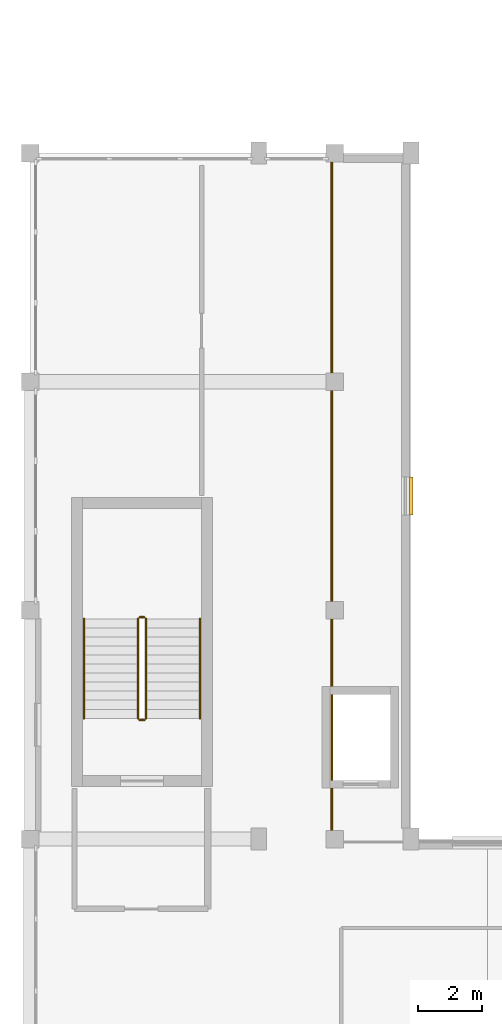
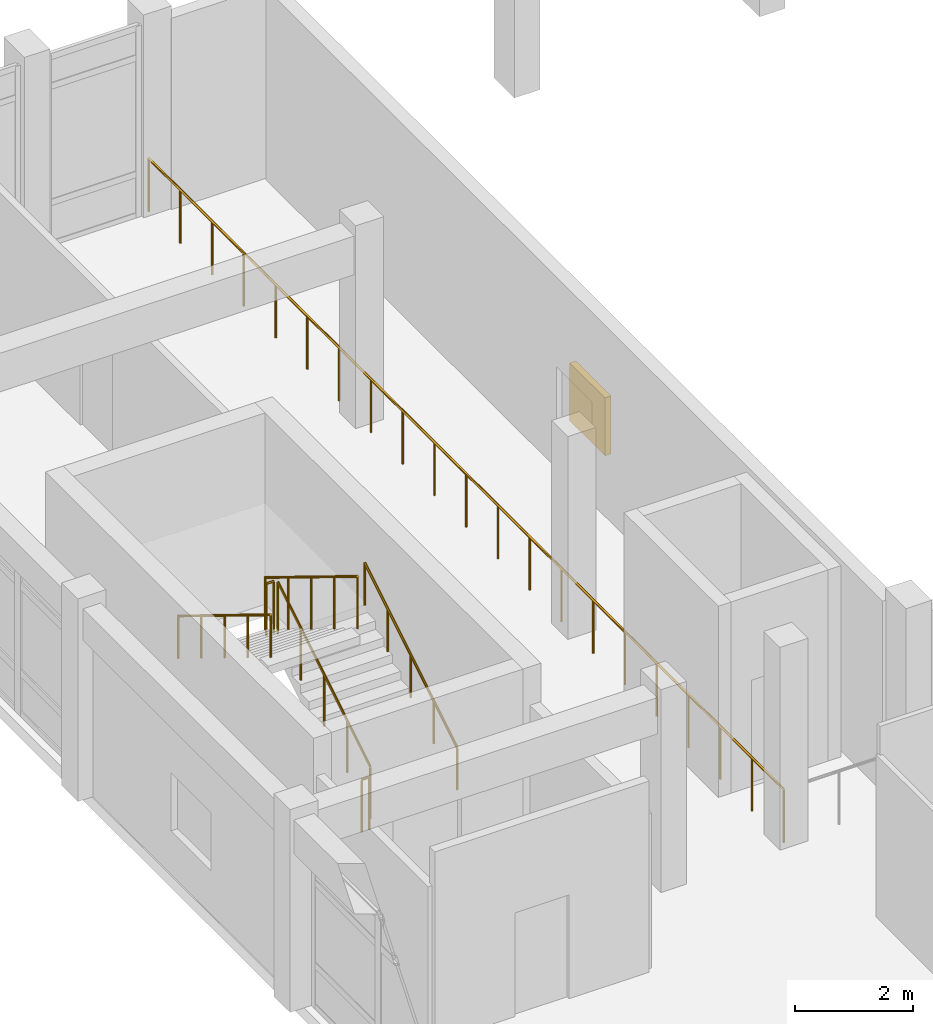
# One storey, part 41 of 47: 7 railings, 1 shading device.
"""IFC4 building model written with IfcOpenShell, lengths in metres."""

from ifc_helpers import new_model, si_unit, direction, frame, origin, origin_2d, place, context, subcontext, project, spatial, rectangle, circle, extrude, material, layer, layer_set, type_object, element, save


model = new_model("IFC4")

# Units and contexts
model_context = context("Model", 3, precision=1e-05, world=origin(), true_north=direction((0.0, 1.0)))
body_context = subcontext(model_context, "Body", "Model", "MODEL_VIEW")
ifc_project = project(units=[si_unit("LENGTHUNIT", "METRE"), si_unit("AREAUNIT", "SQUARE_METRE"), si_unit("VOLUMEUNIT", "CUBIC_METRE"), si_unit("PLANEANGLEUNIT", "RADIAN"), si_unit("MASSUNIT", "GRAM", prefix="KILO")], contexts=[model_context])

# Site, building, storey
site_placement = place(None, origin())
site = spatial("IfcSite", under=ifc_project, at=site_placement, CompositionType="ELEMENT")
building_placement = place(site_placement, origin())
building = spatial("IfcBuilding", under=site, at=building_placement, Name="Brisavento Harbour Community Centre", CompositionType="ELEMENT")
storey_placement = place(building_placement, frame((0.0, 0.0, 8.699951171875)))
storey = spatial("IfcBuildingStorey", under=building, at=storey_placement, Name="L02", CompositionType="ELEMENT", Elevation=8.699951171875)

# Railings
ifc_material_1 = material(Name="Stainless steel 1.4401", Category="steel")
railing_type_1 = type_object("IfcRailingType", Name="RL-ATR-BAL", PredefinedType="BALUSTRADE", material=ifc_material_1)
railing_1_placement = place(storey_placement, frame((9.5, 14.300048828125, 0.0)))
element("IfcRailing", 1, at=railing_1_placement, inside=storey, type_object=railing_type_1, Name="L02 atrium and gallery balustrade BAL-V1-HALL-W", PredefinedType="BALUSTRADE", context=body_context, shape_type="SweptSolid", body=[
    extrude(circle(Radius=0.02392578125, at=origin_2d()), frame((0.0, 0.0, 1.09619140625), z_axis=(0.0, 1.0, 0.0), x_axis=(-1.0, 0.0, 0.0)), (0.0, 0.0, 1.0), 21.550048828125),
    extrude(circle(Radius=0.02099609375, at=origin_2d()), origin(), (0.0, 0.0, 1.0), 1.072021484375),
    extrude(circle(Radius=0.02099609375, at=origin_2d()), frame((0.0, 1.077392578125, 0.0)), (0.0, 0.0, 1.0), 1.072021484375),
    extrude(circle(Radius=0.02099609375, at=origin_2d()), frame((0.0, 2.155029296875, 0.0)), (0.0, 0.0, 1.0), 1.072021484375),
    extrude(circle(Radius=0.02099609375, at=origin_2d()), frame((0.0, 3.232421875, 0.0)), (0.0, 0.0, 1.0), 1.072021484375),
    extrude(circle(Radius=0.02099609375, at=origin_2d()), frame((0.0, 4.31005859375, 0.0)), (0.0, 0.0, 1.0), 1.072021484375),
    extrude(circle(Radius=0.02099609375, at=origin_2d()), frame((0.0, 5.387451171875, 0.0)), (0.0, 0.0, 1.0), 1.072021484375),
    extrude(circle(Radius=0.02099609375, at=origin_2d()), frame((0.0, 6.465087890625, 0.0)), (0.0, 0.0, 1.0), 1.072021484375),
    extrude(circle(Radius=0.02099609375, at=origin_2d()), frame((0.0, 7.54248046875, 0.0)), (0.0, 0.0, 1.0), 1.072021484375),
    extrude(circle(Radius=0.02099609375, at=origin_2d()), frame((0.0, 8.6201171875, 0.0)), (0.0, 0.0, 1.0), 1.072021484375),
    extrude(circle(Radius=0.02099609375, at=origin_2d()), frame((0.0, 9.697509765625, 0.0)), (0.0, 0.0, 1.0), 1.072021484375),
    extrude(circle(Radius=0.02099609375, at=origin_2d()), frame((0.0, 10.77490234375, 0.0)), (0.0, 0.0, 1.0), 1.072021484375),
    extrude(circle(Radius=0.02099609375, at=origin_2d()), frame((0.0, 11.8525390625, 0.0)), (0.0, 0.0, 1.0), 1.072021484375),
    extrude(circle(Radius=0.02099609375, at=origin_2d()), frame((0.0, 12.929931640625, 0.0)), (0.0, 0.0, 1.0), 1.072021484375),
    extrude(circle(Radius=0.02099609375, at=origin_2d()), frame((0.0, 14.007568359375, 0.0)), (0.0, 0.0, 1.0), 1.072021484375),
    extrude(circle(Radius=0.02099609375, at=origin_2d()), frame((0.0, 15.0849609375, 0.0)), (0.0, 0.0, 1.0), 1.072021484375),
    extrude(circle(Radius=0.02099609375, at=origin_2d()), frame((0.0, 16.16259765625, 0.0)), (0.0, 0.0, 1.0), 1.072021484375),
    extrude(circle(Radius=0.02099609375, at=origin_2d()), frame((0.0, 17.239990234375, 0.0)), (0.0, 0.0, 1.0), 1.072021484375),
    extrude(circle(Radius=0.02099609375, at=origin_2d()), frame((0.0, 18.317626953125, 0.0)), (0.0, 0.0, 1.0), 1.072021484375),
    extrude(circle(Radius=0.02099609375, at=origin_2d()), frame((0.0, 19.39501953125, 0.0)), (0.0, 0.0, 1.0), 1.072021484375),
    extrude(circle(Radius=0.02099609375, at=origin_2d()), frame((0.0, 20.47265625, 0.0)), (0.0, 0.0, 1.0), 1.072021484375),
    extrude(circle(Radius=0.02099609375, at=origin_2d()), frame((0.0, 21.550048828125, 0.0)), (0.0, 0.0, 1.0), 1.072021484375),
])
railing_type_2 = type_object("IfcRailingType", Name="RL-ST-GUARD", PredefinedType="GUARDRAIL", material=ifc_material_1)
railing_2_placement = place(storey_placement, frame((3.64990234375, 18.199951171875, 0.175048828125)))
element("IfcRailing", 2, at=railing_2_placement, inside=storey, type_object=railing_type_2, Name="L02 ST-01 stair guard 1", PredefinedType="GUARDRAIL", context=body_context, shape_type="SweptSolid", body=[
    extrude(circle(Radius=0.02392578125, at=origin_2d()), frame((0.0, 0.0, 1.076171875), z_axis=(0.0, 0.852166034122, 0.523271488128), x_axis=(-1.0, 0.0, 0.0)), (0.0, 0.0, 1.0), 3.678955078125),
    extrude(circle(Radius=0.02099609375, at=origin_2d()), origin(), (0.0, 0.0, 1.0), 1.052001953125),
    extrude(circle(Radius=0.02099609375, at=origin_2d()), frame((0.0, 0.78369140625, 0.481201171875)), (0.0, 0.0, 1.0), 1.052001953125),
    extrude(circle(Radius=0.02099609375, at=origin_2d()), frame((0.0, 1.5673828125, 0.96240234375)), (0.0, 0.0, 1.0), 1.052001953125),
    extrude(circle(Radius=0.02099609375, at=origin_2d()), frame((0.0, 2.351318359375, 1.44384765625)), (0.0, 0.0, 1.0), 1.052001953125),
    extrude(circle(Radius=0.02099609375, at=origin_2d()), frame((0.0, 3.135009765625, 1.925048828125)), (0.0, 0.0, 1.0), 1.052001953125),
])
railing_3_placement = place(storey_placement, frame((3.60009765625, 21.385009765625, 2.10009765625)))
element("IfcRailing", 3, at=railing_3_placement, inside=storey, type_object=railing_type_2, Name="L02 ST-01 stair guard 2", PredefinedType="GUARDRAIL", context=body_context, shape_type="SweptSolid", body=[
    extrude(circle(Radius=0.02392578125, at=origin_2d()), frame((0.0, 0.0, 1.076171875), z_axis=(-1.0, 0.0, 0.0), x_axis=(0.0, -1.0, 0.0)), (0.0, 0.0, 1.0), 0.150146484375),
    extrude(circle(Radius=0.02099609375, at=origin_2d()), origin(), (0.0, 0.0, 1.0), 1.052001953125),
    extrude(circle(Radius=0.02099609375, at=origin_2d()), frame((-0.150146484375, 0.0, 0.0)), (0.0, 0.0, 1.0), 1.052001953125),
])
railing_4_placement = place(storey_placement, frame((3.39990234375, 21.3349609375, 2.275146484375)))
element("IfcRailing", 4, at=railing_4_placement, inside=storey, type_object=railing_type_2, Name="L02 ST-01 stair guard 3", PredefinedType="GUARDRAIL", context=body_context, shape_type="SweptSolid", body=[
    extrude(circle(Radius=0.02392578125, at=origin_2d()), frame((0.0, 0.0, 1.076171875), z_axis=(0.0, -0.852195625947, 0.523223293744), x_axis=(1.0, 0.0, 0.0)), (0.0, 0.0, 1.0), 3.6787109375),
    extrude(circle(Radius=0.02099609375, at=origin_2d()), origin(), (0.0, 0.0, 1.0), 1.052001953125),
    extrude(circle(Radius=0.02099609375, at=origin_2d()), frame((0.0, -0.78369140625, 0.481201171875)), (0.0, 0.0, 1.0), 1.052001953125),
    extrude(circle(Radius=0.02099609375, at=origin_2d()), frame((0.0, -1.5673828125, 0.96240234375)), (0.0, 0.0, 1.0), 1.052001953125),
    extrude(circle(Radius=0.02099609375, at=origin_2d()), frame((0.0, -2.351318359375, 1.443603515625)), (0.0, 0.0, 1.0), 1.052001953125),
    extrude(circle(Radius=0.02099609375, at=origin_2d()), frame((0.0, -3.135009765625, 1.9248046875)), (0.0, 0.0, 1.0), 1.052001953125),
])
railing_5_placement = place(storey_placement, frame((3.60009765625, 18.14990234375, 0.0)))
element("IfcRailing", 5, at=railing_5_placement, inside=storey, type_object=railing_type_2, Name="L02 ST-01 stair guard 4", PredefinedType="GUARDRAIL", context=body_context, shape_type="SweptSolid", body=[
    extrude(circle(Radius=0.02392578125, at=origin_2d()), frame((0.0, 0.0, 1.076171875), z_axis=(-1.0, 0.0, 0.0), x_axis=(0.0, -1.0, 0.0)), (0.0, 0.0, 1.0), 0.150146484375),
    extrude(circle(Radius=0.02099609375, at=origin_2d()), origin(), (0.0, 0.0, 1.0), 1.052001953125),
    extrude(circle(Radius=0.02099609375, at=origin_2d()), frame((-0.150146484375, 0.0, 0.0)), (0.0, 0.0, 1.0), 1.052001953125),
])
railing_type_3 = type_object("IfcRailingType", Name="RL-ST-HAND", PredefinedType="HANDRAIL", material=ifc_material_1)
railing_6_placement = place(storey_placement, frame((5.35009765625, 18.199951171875, 0.175048828125)))
element("IfcRailing", 6, at=railing_6_placement, inside=storey, type_object=railing_type_3, Name="L02 ST-01 stair handrail 1", PredefinedType="HANDRAIL", context=body_context, shape_type="SweptSolid", body=[
    extrude(circle(Radius=0.02392578125, at=origin_2d()), frame((0.0, 0.0, 0.8759765625), z_axis=(0.0, 0.852166034122, 0.523271488128), x_axis=(-1.0, 0.0, 0.0)), (0.0, 0.0, 1.0), 3.678955078125),
    extrude(circle(Radius=0.02099609375, at=origin_2d()), origin(), (0.0, 0.0, 1.0), 0.851806640625),
    extrude(circle(Radius=0.02099609375, at=origin_2d()), frame((0.0, 0.78369140625, 0.481201171875)), (0.0, 0.0, 1.0), 0.851806640625),
    extrude(circle(Radius=0.02099609375, at=origin_2d()), frame((0.0, 1.5673828125, 0.96240234375)), (0.0, 0.0, 1.0), 0.851806640625),
    extrude(circle(Radius=0.02099609375, at=origin_2d()), frame((0.0, 2.351318359375, 1.44384765625)), (0.0, 0.0, 1.0), 0.851806640625),
    extrude(circle(Radius=0.02099609375, at=origin_2d()), frame((0.0, 3.135009765625, 1.925048828125)), (0.0, 0.0, 1.0), 0.851806640625),
])
railing_7_placement = place(storey_placement, frame((1.699951171875, 21.3349609375, 2.275146484375)))
element("IfcRailing", 7, at=railing_7_placement, inside=storey, type_object=railing_type_3, Name="L02 ST-01 stair handrail 2", PredefinedType="HANDRAIL", context=body_context, shape_type="SweptSolid", body=[
    extrude(circle(Radius=0.02392578125, at=origin_2d()), frame((0.0, 0.0, 0.8759765625), z_axis=(0.0, -0.852195625947, 0.523223293744), x_axis=(1.0, 0.0, 0.0)), (0.0, 0.0, 1.0), 3.6787109375),
    extrude(circle(Radius=0.02099609375, at=origin_2d()), origin(), (0.0, 0.0, 1.0), 0.851806640625),
    extrude(circle(Radius=0.02099609375, at=origin_2d()), frame((0.0, -0.78369140625, 0.481201171875)), (0.0, 0.0, 1.0), 0.851806640625),
    extrude(circle(Radius=0.02099609375, at=origin_2d()), frame((0.0, -1.5673828125, 0.96240234375)), (0.0, 0.0, 1.0), 0.851806640625),
    extrude(circle(Radius=0.02099609375, at=origin_2d()), frame((0.0, -2.351318359375, 1.443603515625)), (0.0, 0.0, 1.0), 0.851806640625),
    extrude(circle(Radius=0.02099609375, at=origin_2d()), frame((0.0, -3.135009765625, 1.9248046875)), (0.0, 0.0, 1.0), 0.851806640625),
])

# Shading device
ifc_material_2 = material(Name="Marine-anodised aluminium AW-6063-T6", Category="aluminium")
ifc_layer = layer(ifc_material_2, 0.1201171875, Name="Marine-anodised aluminium AW-6063-T6")
ifc_layer_set = layer_set([ifc_layer], Name="Marine-anodised aluminium AW-6063-T6")
shading_device_type = type_object("IfcShadingDeviceType", Name="SHD-LOUVRE", PredefinedType="JALOUSIE", material=ifc_layer_set)
shading_device_placement = place(storey_placement, frame((12.0048828125, 25.199951171875, 0.89990234375), z_axis=(0.0, 0.0, 1.0), x_axis=(0.0, -1.0, 0.0)))
element("IfcShadingDevice", 8, at=shading_device_placement, inside=storey, type_object=shading_device_type, Name="L02 hurricane storm louvre 30", PredefinedType="JALOUSIE", context=body_context, shape_type="SweptSolid", body=[
    extrude(rectangle(XDim=1.199951171875, YDim=0.1201171875, at=origin_2d()), origin(), (0.0, 0.0, 1.0), 1.199951171875),
])

save(model, "model.ifc")
